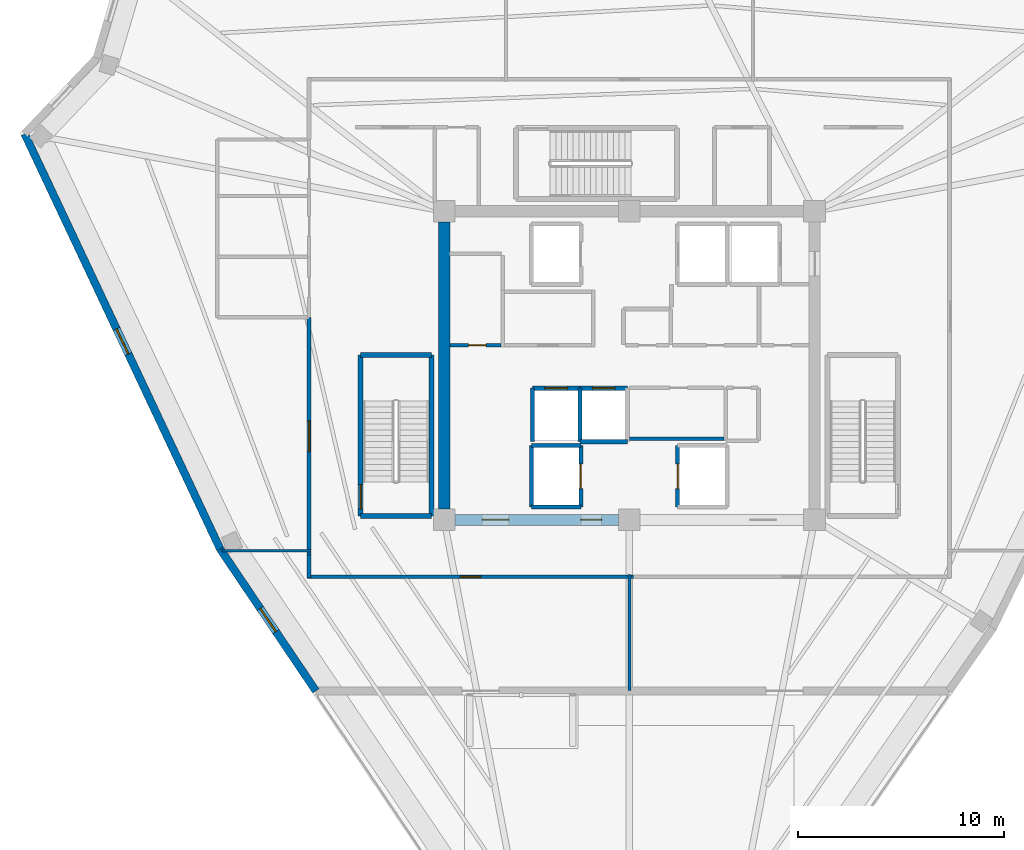
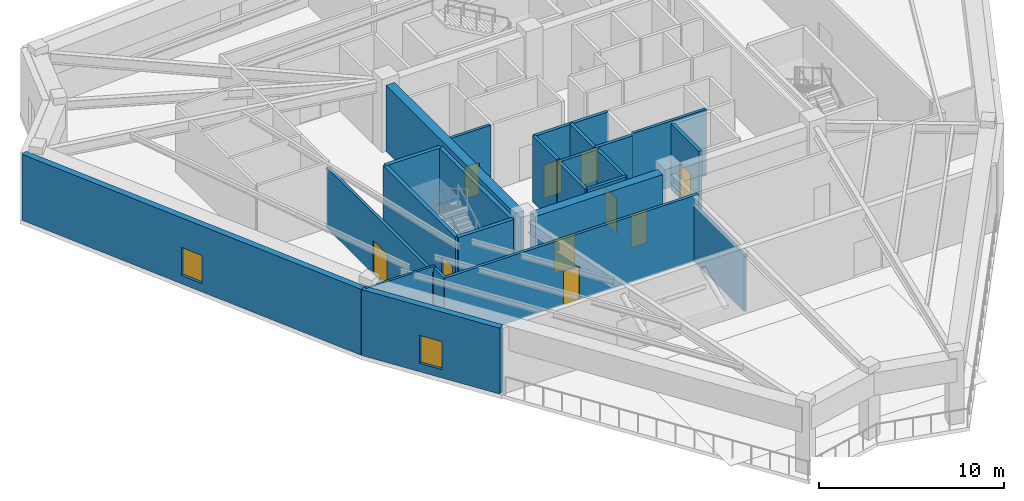
# One storey, part 4 of 12: 25 walls, 10 doors, 2 windows, 12 openings.
"""IFC4 building model written with IfcOpenShell, lengths in metres."""

from ifc_helpers import new_model, si_unit, direction, frame, frame_2d, origin, place, context, subcontext, project, spatial, rectangle, extrude, source, transform, mapped, material, layer, layer_set, type_object, element, fill, save


model = new_model("IFC4")

# Units and contexts
model_context = context("Model", 3, precision=1e-05, world=origin(), true_north=direction((0.0, 1.0)))
body_context = subcontext(model_context, "Body", "Model", "MODEL_VIEW")
ifc_project = project(units=[si_unit("LENGTHUNIT", "METRE"), si_unit("AREAUNIT", "SQUARE_METRE"), si_unit("VOLUMEUNIT", "CUBIC_METRE"), si_unit("PLANEANGLEUNIT", "RADIAN"), si_unit("MASSUNIT", "GRAM", prefix="KILO")], contexts=[model_context])

# Site, building, storey
site_placement = place(None, origin())
site = spatial("IfcSite", under=ifc_project, at=site_placement, CompositionType="ELEMENT")
building_placement = place(site_placement, origin())
building = spatial("IfcBuilding", under=site, at=building_placement, Name="Liaohun Quay Tower", CompositionType="ELEMENT")
storey_placement = place(building_placement, frame((0.0, 0.0, 355.800048828125)))
storey = spatial("IfcBuildingStorey", under=building, at=storey_placement, Name="L92", CompositionType="ELEMENT", Elevation=355.800048828125)

# Wall, openings, doors
ifc_material_1 = material(Name="Concrete C50", Category="concrete")
ifc_layer_1 = layer(ifc_material_1, 0.550048828125, Name="Concrete C50", Category="concrete")
ifc_layer_set_1 = layer_set([ifc_layer_1], Name="Concrete C50")
wall_type_1 = type_object("IfcWallType", Name="WAL-COR-Z4", PredefinedType="SHEAR", material=ifc_layer_set_1)
wall_1_placement = place(storey_placement, frame((59.47509765625, 46.5, 0.0), z_axis=(0.0, 0.0, 1.0), x_axis=(-1.0, 0.0, 0.0)))
wall_1 = element("IfcWall", 1, at=wall_1_placement, inside=storey, type_object=wall_type_1, Name="L92 Central Core Shear Wall S-W", PredefinedType="SHEAR", context=body_context, shape_type="SweptSolid", body=[
    extrude(rectangle(XDim=7.9501953125, YDim=0.550048828125, at=frame_2d((3.97509765625, 0.0))), origin(), (0.0, 0.0, 1.0), 4.349853515625),
])
shared_shape_1 = source(origin(), body_context, "Body", "SweptSolid", [
    extrude(rectangle(XDim=1.300048828125, YDim=2.199951171875, at=frame_2d((0.64990234375, 1.10009765625))), frame((0.0, 0.284912109375, 0.0), z_axis=(0.0, -1.0, 0.0), x_axis=(1.0, 0.0, 0.0)), (0.0, 0.0, 1.0), 0.570068359375),
])
opening_1_placement = place(wall_1_placement, frame((5.324951171875, 0.0, 0.0)))
opening_1 = element("IfcOpeningElement", 2, at=opening_1_placement, cuts=wall_1, Name="Opening FD1", PredefinedType="OPENING", context=body_context, shape_type="MappedRepresentation", body=[
    mapped(shared_shape_1, transform((0.0, 0.0, 0.0), x_axis=(1.0, 0.0, 0.0), y_axis=(0.0, 1.0, 0.0), z_axis=(0.0, 0.0, 1.0), scale=1.0)),
])
shared_shape_2 = source(origin(), body_context, "Body", "SweptSolid", [
    extrude(rectangle(XDim=1.0, YDim=2.199951171875, at=frame_2d((0.5, 1.10009765625))), frame((0.0, 0.284912109375, 0.0), z_axis=(0.0, -1.0, 0.0), x_axis=(1.0, 0.0, 0.0)), (0.0, 0.0, 1.0), 0.570068359375),
])
opening_2_placement = place(wall_1_placement, frame((0.824951171875, 0.0, 0.0)))
opening_2 = element("IfcOpeningElement", 3, at=opening_2_placement, cuts=wall_1, Name="Opening FD2", PredefinedType="OPENING", context=body_context, shape_type="MappedRepresentation", body=[
    mapped(shared_shape_2, transform((0.0, 0.0, 0.0), x_axis=(1.0, 0.0, 0.0), y_axis=(0.0, 1.0, 0.0), z_axis=(0.0, 0.0, 1.0), scale=1.0)),
])
ifc_material_2 = material(Name="Galvanised steel smokeproof fire door", Category="steel")
door_type_1 = type_object("IfcDoorType", Name="DOR-FFL-1300", OperationType="NOTDEFINED", PredefinedType="DOOR", material=ifc_material_2)
shared_shape_3 = source(origin(), body_context, "Body", "SweptSolid", [
    extrude(rectangle(XDim=1.300048828125, YDim=2.199951171875, at=frame_2d((0.64990234375, 1.10009765625))), frame((0.0, 0.02490234375, 0.0), z_axis=(0.0, -1.0, 0.0), x_axis=(1.0, 0.0, 0.0)), (0.0, 0.0, 1.0), 0.050048828125),
])
door_1_placement = place(opening_1_placement, origin())
door_1 = element("IfcDoor", 4, at=door_1_placement, inside=storey, type_object=door_type_1, Name="L92 West Core Lift Lobby Smokeproof Door", OperationType="SINGLE_SWING_RIGHT", OverallHeight=2.199951171875, OverallWidth=1.300048828125, PredefinedType="DOOR", context=body_context, shape_type="MappedRepresentation", body=[
    mapped(shared_shape_3, transform((0.0, 0.0, 0.0), x_axis=(1.0, 0.0, 0.0), y_axis=(0.0, 1.0, 0.0), z_axis=(0.0, 0.0, 1.0), scale=1.0)),
])
fill(opening_1, door_1)
ifc_material_3 = material(Name="Galvanised steel smokeproof lobby fire door", Category="steel")
door_type_2 = type_object("IfcDoorType", Name="DOR-FFL-1000", OperationType="NOTDEFINED", PredefinedType="DOOR", material=ifc_material_3)
shared_shape_4 = source(origin(), body_context, "Body", "SweptSolid", [
    extrude(rectangle(XDim=1.0, YDim=2.199951171875, at=frame_2d((0.5, 1.10009765625))), frame((0.0, 0.02490234375, 0.0), z_axis=(0.0, -1.0, 0.0), x_axis=(1.0, 0.0, 0.0)), (0.0, 0.0, 1.0), 0.050048828125),
])
door_2_placement = place(opening_2_placement, origin())
door_2 = element("IfcDoor", 5, at=door_2_placement, inside=storey, type_object=door_type_2, Name="L92 South Firefighting Lobby Smokeproof Door", OperationType="SINGLE_SWING_LEFT", OverallHeight=2.199951171875, OverallWidth=1.0, PredefinedType="DOOR", context=body_context, shape_type="MappedRepresentation", body=[
    mapped(shared_shape_4, transform((0.0, 0.0, 0.0), x_axis=(1.0, 0.0, 0.0), y_axis=(0.0, 1.0, 0.0), z_axis=(0.0, 0.0, 1.0), scale=1.0)),
])
fill(opening_2, door_2)

# Wall
wall_2_placement = place(storey_placement, frame((51.0, 47.02490234375, 0.0), z_axis=(0.0, 0.0, 1.0), x_axis=(0.0, 1.0, 0.0)))
element("IfcWall", 6, at=wall_2_placement, inside=storey, type_object=wall_type_1, Name="L92 Central Core Shear Wall W", PredefinedType="SHEAR", context=body_context, shape_type="SweptSolid", body=[
    extrude(rectangle(XDim=13.9501953125, YDim=0.550048828125, at=frame_2d((6.97509765625, 0.0))), origin(), (0.0, 0.0, 1.0), 4.349853515625),
])

# Wall, opening, window
ifc_material_4 = material(Name="Precast concrete C50 insulated sandwich", Category="concrete")
ifc_layer_2 = layer(ifc_material_4, 0.3798828125, Name="Precast concrete C50 insulated sandwich", Category="concrete")
ifc_layer_set_2 = layer_set([ifc_layer_2], Name="Precast concrete C50 insulated sandwich")
wall_type_2 = type_object("IfcWallType", Name="WAL-EXT-Z34", PredefinedType="SOLIDWALL", material=ifc_layer_set_2)
wall_3_placement = place(storey_placement, frame((30.62109375, 65.258056640625, 0.0), z_axis=(0.0, 0.0, 1.0), x_axis=(0.426031057179, -0.904708537773, 0.0)))
wall_3 = element("IfcWall", 7, at=wall_3_placement, inside=storey, type_object=wall_type_2, Name="L92 Sky Belvedere Exterior Wall 09", PredefinedType="SOLIDWALL", context=body_context, shape_type="SweptSolid", body=[
    extrude(rectangle(XDim=22.3056640625, YDim=0.3798828125, at=frame_2d((11.15283203125, 0.0))), origin(), (0.0, 0.0, 1.0), 4.349853515625),
])
shared_shape_5 = source(origin(), body_context, "Body", "SweptSolid", [
    extrude(rectangle(XDim=1.35009765625, YDim=1.85009765625, at=frame_2d((0.675048828125, 0.925048828125))), frame((0.0, 0.199951171875, 0.0), z_axis=(0.0, -1.0, 0.0), x_axis=(1.0, 0.0, 0.0)), (0.0, 0.0, 1.0), 0.39990234375),
])
opening_3_placement = place(wall_3_placement, frame((10.47802734375, 0.0, 0.550048828125)))
opening_3 = element("IfcOpeningElement", 8, at=opening_3_placement, cuts=wall_3, Name="Opening W04", PredefinedType="OPENING", context=body_context, shape_type="MappedRepresentation", body=[
    mapped(shared_shape_5, transform((0.0, 0.0, 0.0), x_axis=(1.0, 0.0, 0.0), y_axis=(0.0, 1.0, 0.0), z_axis=(0.0, 0.0, 1.0), scale=1.0)),
])
ifc_material_5 = material(Name="Triple Low-E argon glazing in thermally broken aluminium", Category="aluminium")
window_type = type_object("IfcWindowType", Name="WIN-PUN-Z4", PartitioningType="SINGLE_PANEL", PredefinedType="WINDOW", material=ifc_material_5)
shared_shape_6 = source(origin(), body_context, "Body", "SweptSolid", [
    extrude(rectangle(XDim=1.35009765625, YDim=1.85009765625, at=frame_2d((0.675048828125, 0.925048828125))), frame((0.0, 0.030029296875, 0.0), z_axis=(0.0, -1.0, 0.0), x_axis=(1.0, 0.0, 0.0)), (0.0, 0.0, 1.0), 0.06005859375),
])
window_1_placement = place(opening_3_placement, origin())
window_1 = element("IfcWindow", 9, at=window_1_placement, inside=storey, type_object=window_type, Name="L92 Observatory Window W04-09", OverallHeight=1.85009765625, OverallWidth=1.35009765625, PartitioningType="SINGLE_PANEL", PredefinedType="WINDOW", context=body_context, shape_type="MappedRepresentation", body=[
    mapped(shared_shape_6, transform((0.0, 0.0, 0.0), x_axis=(1.0, 0.0, 0.0), y_axis=(0.0, 1.0, 0.0), z_axis=(0.0, 0.0, 1.0), scale=1.0)),
])
fill(opening_3, window_1)

wall_4_placement = place(storey_placement, frame((40.1240234375, 45.077880859375, 0.0), z_axis=(0.0, 0.0, 1.0), x_axis=(0.559113952573, -0.829090820138, 0.0)))
wall_4 = element("IfcWall", 10, at=wall_4_placement, inside=storey, type_object=wall_type_2, Name="L92 Sky Belvedere Exterior Wall 10", PredefinedType="SOLIDWALL", context=body_context, shape_type="SweptSolid", body=[
    extrude(rectangle(XDim=8.307861328125, YDim=0.3798828125, at=frame_2d((4.15380859375, 0.0))), origin(), (0.0, 0.0, 1.0), 4.349853515625),
])
opening_4_placement = place(wall_4_placement, frame((3.47900390625, 0.0, 0.550048828125)))
opening_4 = element("IfcOpeningElement", 11, at=opening_4_placement, cuts=wall_4, Name="Opening W04", PredefinedType="OPENING", context=body_context, shape_type="MappedRepresentation", body=[
    mapped(shared_shape_5, transform((0.0, 0.0, 0.0), x_axis=(1.0, 0.0, 0.0), y_axis=(0.0, 1.0, 0.0), z_axis=(0.0, 0.0, 1.0), scale=1.0)),
])
window_2_placement = place(opening_4_placement, origin())
window_2 = element("IfcWindow", 12, at=window_2_placement, inside=storey, type_object=window_type, Name="L92 Observatory Window W04-10", OverallHeight=1.85009765625, OverallWidth=1.35009765625, PartitioningType="SINGLE_PANEL", PredefinedType="WINDOW", context=body_context, shape_type="MappedRepresentation", body=[
    mapped(shared_shape_6, transform((0.0, 0.0, 0.0), x_axis=(1.0, 0.0, 0.0), y_axis=(0.0, 1.0, 0.0), z_axis=(0.0, 0.0, 1.0), scale=1.0)),
])
fill(opening_4, window_2)

# Wall, opening, door
ifc_material_6 = material(Name="Autoclaved aerated concrete blockwork", Category="masonry")
ifc_layer_3 = layer(ifc_material_6, 0.179931640625, Name="Autoclaved aerated concrete blockwork", Category="masonry")
ifc_layer_set_3 = layer_set([ifc_layer_3], Name="Autoclaved aerated concrete blockwork")
wall_type_3 = type_object("IfcWallType", Name="WAL-PRT-COR", PredefinedType="PARTITIONING", material=ifc_layer_set_3)
wall_5_placement = place(storey_placement, frame((51.27490234375, 54.97998046875, 0.0), z_axis=(0.0, 0.0, 1.0), x_axis=(1.0, 0.0, 0.0)))
wall_5 = element("IfcWall", 13, at=wall_5_placement, inside=storey, type_object=wall_type_3, Name="L92 Interior Partition Wall 003", PredefinedType="PARTITIONING", context=body_context, shape_type="SweptSolid", body=[
    extrude(rectangle(XDim=2.485107421875, YDim=0.179931640625, at=frame_2d((1.24267578125, 0.0))), origin(), (0.0, 0.0, 1.0), 4.349853515625),
])
shared_shape_7 = source(origin(), body_context, "Body", "SweptSolid", [
    extrude(rectangle(XDim=0.85009765625, YDim=2.10009765625, at=frame_2d((0.425048828125, 1.050048828125))), frame((0.0, 0.099853515625, 0.0), z_axis=(0.0, -1.0, 0.0), x_axis=(1.0, 0.0, 0.0)), (0.0, 0.0, 1.0), 0.199951171875),
])
opening_5_placement = place(wall_5_placement, frame((0.9150390625, 0.0, 0.0)))
opening_5 = element("IfcOpeningElement", 14, at=opening_5_placement, cuts=wall_5, Name="Opening AD1", PredefinedType="OPENING", context=body_context, shape_type="MappedRepresentation", body=[
    mapped(shared_shape_7, transform((0.0, 0.0, 0.0), x_axis=(1.0, 0.0, 0.0), y_axis=(0.0, 1.0, 0.0), z_axis=(0.0, 0.0, 1.0), scale=1.0)),
])
ifc_material_7 = material(Name="Steel riser inspection fire door", Category="steel")
door_type_3 = type_object("IfcDoorType", Name="DOR-SHF-850", OperationType="NOTDEFINED", PredefinedType="DOOR", material=ifc_material_7)
shared_shape_8 = source(origin(), body_context, "Body", "SweptSolid", [
    extrude(rectangle(XDim=0.85009765625, YDim=2.10009765625, at=frame_2d((0.425048828125, 1.050048828125))), frame((0.0, 0.02490234375, 0.0), z_axis=(0.0, -1.0, 0.0), x_axis=(1.0, 0.0, 0.0)), (0.0, 0.0, 1.0), 0.050048828125),
])
door_3_placement = place(opening_5_placement, origin())
door_3 = element("IfcDoor", 15, at=door_3_placement, inside=storey, type_object=door_type_3, Name="L92 Core High-Zone Archive and Riser Store Door", OperationType="SINGLE_SWING_LEFT", OverallHeight=2.10009765625, OverallWidth=0.85009765625, PredefinedType="DOOR", context=body_context, shape_type="MappedRepresentation", body=[
    mapped(shared_shape_8, transform((0.0, 0.0, 0.0), x_axis=(1.0, 0.0, 0.0), y_axis=(0.0, 1.0, 0.0), z_axis=(0.0, 0.0, 1.0), scale=1.0)),
])
fill(opening_5, door_3)

wall_6_placement = place(storey_placement, frame((44.43994140625, 44.784912109375, 0.0), z_axis=(0.0, 0.0, 1.0), x_axis=(0.0, 1.0, 0.0)))
wall_6 = element("IfcWall", 16, at=wall_6_placement, inside=storey, type_object=wall_type_3, Name="L92 Interior Partition Wall 017", PredefinedType="PARTITIONING", context=body_context, shape_type="SweptSolid", body=[
    extrude(rectangle(XDim=11.55517578125, YDim=0.179931640625, at=frame_2d((5.777587890625, 0.0))), origin(), (0.0, 0.0, 1.0), 3.98486328125),
])
shared_shape_9 = source(origin(), body_context, "Body", "SweptSolid", [
    extrude(rectangle(XDim=1.5, YDim=2.199951171875, at=frame_2d((0.75, 1.10009765625))), frame((0.0, 0.099853515625, 0.0), z_axis=(0.0, -1.0, 0.0), x_axis=(1.0, 0.0, 0.0)), (0.0, 0.0, 1.0), 0.199951171875),
])
opening_6_placement = place(wall_6_placement, frame((5.028076171875, 0.0, 0.0)))
opening_6 = element("IfcOpeningElement", 17, at=opening_6_placement, cuts=wall_6, Name="Opening OD2", PredefinedType="OPENING", context=body_context, shape_type="MappedRepresentation", body=[
    mapped(shared_shape_9, transform((0.0, 0.0, 0.0), x_axis=(1.0, 0.0, 0.0), y_axis=(0.0, 1.0, 0.0), z_axis=(0.0, 0.0, 1.0), scale=1.0)),
])
ifc_material_8 = material(Name="Acoustic oak veneer double door")
door_type_4 = type_object("IfcDoorType", Name="DOR-OFF-1500", OperationType="DOUBLE_DOOR_SINGLE_SWING", PredefinedType="DOOR", material=ifc_material_8)
shared_shape_10 = source(origin(), body_context, "Body", "SweptSolid", [
    extrude(rectangle(XDim=1.5, YDim=2.199951171875, at=frame_2d((0.75, 1.10009765625))), frame((0.0, 0.02490234375, 0.0), z_axis=(0.0, -1.0, 0.0), x_axis=(1.0, 0.0, 0.0)), (0.0, 0.0, 1.0), 0.050048828125),
])
door_4_placement = place(opening_6_placement, origin())
door_4 = element("IfcDoor", 18, at=door_4_placement, inside=storey, type_object=door_type_4, Name="L92 Visitor Orientation Studio 03 Door", OperationType="DOUBLE_DOOR_SINGLE_SWING", OverallHeight=2.199951171875, OverallWidth=1.5, PredefinedType="DOOR", context=body_context, shape_type="MappedRepresentation", body=[
    mapped(shared_shape_10, transform((0.0, 0.0, 0.0), x_axis=(1.0, 0.0, 0.0), y_axis=(0.0, 1.0, 0.0), z_axis=(0.0, 0.0, 1.0), scale=1.0)),
])
fill(opening_6, door_4)

wall_7_placement = place(storey_placement, frame((60.215087890625, 43.739990234375, 0.0), z_axis=(0.0, 0.0, 1.0), x_axis=(-1.0, 0.0, 0.0)))
wall_7 = element("IfcWall", 19, at=wall_7_placement, inside=storey, type_object=wall_type_3, Name="L92 Interior Partition Wall 018", PredefinedType="PARTITIONING", context=body_context, shape_type="SweptSolid", body=[
    extrude(rectangle(XDim=15.844970703125, YDim=0.179931640625, at=frame_2d((7.92236328125, 0.0))), origin(), (0.0, 0.0, 1.0), 4.349853515625),
])
shared_shape_11 = source(origin(), body_context, "Body", "SweptSolid", [
    extrude(rectangle(XDim=1.0, YDim=2.199951171875, at=frame_2d((0.5, 1.10009765625))), frame((0.0, 0.099853515625, 0.0), z_axis=(0.0, -1.0, 0.0), x_axis=(1.0, 0.0, 0.0)), (0.0, 0.0, 1.0), 0.199951171875),
])
opening_7_placement = place(wall_7_placement, frame((7.423095703125, 0.0, 0.0)))
opening_7 = element("IfcOpeningElement", 20, at=opening_7_placement, cuts=wall_7, Name="Opening OD1", PredefinedType="OPENING", context=body_context, shape_type="MappedRepresentation", body=[
    mapped(shared_shape_11, transform((0.0, 0.0, 0.0), x_axis=(1.0, 0.0, 0.0), y_axis=(0.0, 1.0, 0.0), z_axis=(0.0, 0.0, 1.0), scale=1.0)),
])
ifc_material_9 = material(Name="Solid-core oak veneer timber leaf in steel frame", Category="steel")
door_type_5 = type_object("IfcDoorType", Name="DOR-OFF-1000", OperationType="NOTDEFINED", PredefinedType="DOOR", material=ifc_material_9)
door_5_placement = place(opening_7_placement, origin())
door_5 = element("IfcDoor", 21, at=door_5_placement, inside=storey, type_object=door_type_5, Name="L92 Sky Belvedere Tea Lounge 04 Door", OperationType="SINGLE_SWING_RIGHT", OverallHeight=2.199951171875, OverallWidth=1.0, PredefinedType="DOOR", context=body_context, shape_type="MappedRepresentation", body=[
    mapped(shared_shape_4, transform((0.0, 0.0, 0.0), x_axis=(1.0, 0.0, 0.0), y_axis=(0.0, 1.0, 0.0), z_axis=(0.0, 0.0, 1.0), scale=1.0)),
])
fill(opening_7, door_5)

# Walls
wall_8_placement = place(storey_placement, frame((44.43994140625, 43.669921875, 0.0), z_axis=(0.0, 0.0, 1.0), x_axis=(0.0, 1.0, 0.0)))
element("IfcWall", 22, at=wall_8_placement, inside=storey, type_object=wall_type_3, Name="L92 Interior Partition Wall 040", PredefinedType="PARTITIONING", context=body_context, shape_type="SweptSolid", body=[
    extrude(rectangle(XDim=1.114990234375, YDim=0.179931640625, at=frame_2d((0.5576171875, 0.0))), origin(), (0.0, 0.0, 1.0), 4.349853515625),
])
wall_9_placement = place(storey_placement, frame((60.0, 50.449951171875, 0.0), z_axis=(0.0, 0.0, 1.0), x_axis=(1.0, 0.0, 0.0)))
element("IfcWall", 23, at=wall_9_placement, inside=storey, type_object=wall_type_3, Name="L92 Interior Partition Wall 047", PredefinedType="PARTITIONING", context=body_context, shape_type="SweptSolid", body=[
    extrude(rectangle(XDim=4.60009765625, YDim=0.179931640625, at=frame_2d((2.300048828125, 0.0))), origin(), (0.0, 0.0, 1.0), 4.349853515625),
])
ifc_material_10 = material(Name="Gypsum board on twin steel studs", Category="steel")
ifc_layer_4 = layer(ifc_material_10, 0.139892578125, Name="Gypsum board on twin steel studs", Category="steel")
ifc_layer_set_4 = layer_set([ifc_layer_4], Name="Gypsum board on twin steel studs")
wall_type_4 = type_object("IfcWallType", Name="WAL-PRT-OFF", PredefinedType="PARTITIONING", material=ifc_layer_set_4)
wall_10_placement = place(storey_placement, frame((44.5400390625, 45.0, 0.0), z_axis=(0.0, 0.0, 1.0), x_axis=(-1.0, 0.0, 0.0)))
element("IfcWall", 24, at=wall_10_placement, inside=storey, type_object=wall_type_4, Name="L92 Interior Partition Wall 042", PredefinedType="PARTITIONING", context=body_context, shape_type="SweptSolid", body=[
    extrude(rectangle(XDim=4.3271484375, YDim=0.139892578125, at=frame_2d((2.16357421875, 0.0))), origin(), (0.0, 0.0, 1.0), 4.349853515625),
])
wall_11_placement = place(storey_placement, frame((60.0, 43.840087890625, 0.0), z_axis=(0.0, 0.0, 1.0), x_axis=(0.0, -1.0, 0.0)))
element("IfcWall", 25, at=wall_11_placement, inside=storey, type_object=wall_type_4, Name="L92 Interior Partition Wall 044", PredefinedType="PARTITIONING", context=body_context, shape_type="SweptSolid", body=[
    extrude(rectangle(XDim=5.6201171875, YDim=0.139892578125, at=frame_2d((2.81005859375, 0.0))), origin(), (0.0, 0.0, 1.0), 3.7470703125),
])
ifc_layer_5 = layer(ifc_material_1, 0.239990234375, Name="Concrete C50", Category="concrete")
ifc_layer_set_5 = layer_set([ifc_layer_5], Name="Concrete C50")
wall_type_5 = type_object("IfcWallType", Name="WAL-SHF-200", PredefinedType="SOLIDWALL", material=ifc_layer_set_5)
wall_12_placement = place(storey_placement, frame((46.93994140625, 46.699951171875, 0.0), z_axis=(0.0, 0.0, 1.0), x_axis=(1.0, 0.0, 0.0)))
element("IfcWall", 26, at=wall_12_placement, inside=storey, type_object=wall_type_5, Name="L92 Stairwell ST-1 Structural Core Wall S", PredefinedType="SOLIDWALL", context=body_context, shape_type="SweptSolid", body=[
    extrude(rectangle(XDim=3.43994140625, YDim=0.239990234375, at=frame_2d((1.719970703125, 0.0))), origin(), (0.0, 0.0, 1.0), 4.349853515625),
])
wall_13_placement = place(storey_placement, frame((50.3798828125, 46.699951171875, 0.0), z_axis=(0.0, 0.0, 1.0), x_axis=(0.0, 1.0, 0.0)))
element("IfcWall", 27, at=wall_13_placement, inside=storey, type_object=wall_type_5, Name="L92 Stairwell ST-1 Structural Core Wall E", PredefinedType="SOLIDWALL", context=body_context, shape_type="SweptSolid", body=[
    extrude(rectangle(XDim=7.820068359375, YDim=0.239990234375, at=frame_2d((3.91015625, 0.0))), origin(), (0.0, 0.0, 1.0), 4.349853515625),
])
wall_14_placement = place(storey_placement, frame((50.3798828125, 54.52001953125, 0.0), z_axis=(0.0, 0.0, 1.0), x_axis=(-1.0, 0.0, 0.0)))
element("IfcWall", 28, at=wall_14_placement, inside=storey, type_object=wall_type_5, Name="L92 Stairwell ST-1 Structural Core Wall N", PredefinedType="SOLIDWALL", context=body_context, shape_type="SweptSolid", body=[
    extrude(rectangle(XDim=3.43994140625, YDim=0.239990234375, at=frame_2d((1.719970703125, 0.0))), origin(), (0.0, 0.0, 1.0), 4.349853515625),
])

# Wall, opening, door
wall_15_placement = place(storey_placement, frame((46.93994140625, 54.52001953125, 0.0), z_axis=(0.0, 0.0, 1.0), x_axis=(0.0, -1.0, 0.0)))
wall_15 = element("IfcWall", 29, at=wall_15_placement, inside=storey, type_object=wall_type_5, Name="L92 Stairwell ST-1 Structural Core Wall W", PredefinedType="SOLIDWALL", context=body_context, shape_type="SweptSolid", body=[
    extrude(rectangle(XDim=7.820068359375, YDim=0.239990234375, at=frame_2d((3.91015625, 0.0))), origin(), (0.0, 0.0, 1.0), 4.349853515625),
])
shared_shape_12 = source(origin(), body_context, "Body", "SweptSolid", [
    extrude(rectangle(XDim=1.199951171875, YDim=2.199951171875, at=frame_2d((0.60009765625, 1.10009765625))), frame((0.0, 0.1298828125, 0.0), z_axis=(0.0, -1.0, 0.0), x_axis=(1.0, 0.0, 0.0)), (0.0, 0.0, 1.0), 0.260009765625),
])
opening_8_placement = place(wall_15_placement, frame((6.300048828125, 0.0, 0.0)))
opening_8 = element("IfcOpeningElement", 30, at=opening_8_placement, cuts=wall_15, Name="Opening SD1", PredefinedType="OPENING", context=body_context, shape_type="MappedRepresentation", body=[
    mapped(shared_shape_12, transform((0.0, 0.0, 0.0), x_axis=(1.0, 0.0, 0.0), y_axis=(0.0, 1.0, 0.0), z_axis=(0.0, 0.0, 1.0), scale=1.0)),
])
ifc_material_11 = material(Name="Galvanised steel fire door", Category="steel")
door_type_6 = type_object("IfcDoorType", Name="DOR-STR-1200", OperationType="NOTDEFINED", PredefinedType="DOOR", material=ifc_material_11)
shared_shape_13 = source(origin(), body_context, "Body", "SweptSolid", [
    extrude(rectangle(XDim=1.199951171875, YDim=2.199951171875, at=frame_2d((0.60009765625, 1.10009765625))), frame((0.0, 0.02490234375, 0.0), z_axis=(0.0, -1.0, 0.0), x_axis=(1.0, 0.0, 0.0)), (0.0, 0.0, 1.0), 0.050048828125),
])
door_6_placement = place(opening_8_placement, origin())
door_6 = element("IfcDoor", 31, at=door_6_placement, inside=storey, type_object=door_type_6, Name="L92 Protected Stair ST-1 Fire Door", OperationType="SINGLE_SWING_LEFT", OverallHeight=2.199951171875, OverallWidth=1.199951171875, PredefinedType="DOOR", context=body_context, shape_type="MappedRepresentation", body=[
    mapped(shared_shape_13, transform((0.0, 0.0, 0.0), x_axis=(1.0, 0.0, 0.0), y_axis=(0.0, 1.0, 0.0), z_axis=(0.0, 0.0, 1.0), scale=1.0)),
])
fill(opening_8, door_6)

# Wall
wall_16_placement = place(storey_placement, frame((55.25, 47.1201171875, 0.0), z_axis=(0.0, 0.0, 1.0), x_axis=(1.0, 0.0, 0.0)))
element("IfcWall", 32, at=wall_16_placement, inside=storey, type_object=wall_type_5, Name="L92 Lift FF-01 Hoistway Wall S", PredefinedType="SOLIDWALL", context=body_context, shape_type="SweptSolid", body=[
    extrude(rectangle(XDim=2.39990234375, YDim=0.199951171875, at=frame_2d((1.199951171875, 0.0))), origin(), (0.0, 0.0, 1.0), 4.349853515625),
])

# Wall, opening, door
wall_17_placement = place(storey_placement, frame((57.64990234375, 47.1201171875, 0.0), z_axis=(0.0, 0.0, 1.0), x_axis=(0.0, 1.0, 0.0)))
wall_17 = element("IfcWall", 33, at=wall_17_placement, inside=storey, type_object=wall_type_5, Name="L92 Lift FF-01 Hoistway Wall E", PredefinedType="SOLIDWALL", context=body_context, shape_type="SweptSolid", body=[
    extrude(rectangle(XDim=3.0, YDim=0.199951171875, at=frame_2d((1.5, 0.0))), origin(), (0.0, 0.0, 1.0), 4.349853515625),
])
shared_shape_14 = source(origin(), body_context, "Body", "SweptSolid", [
    extrude(rectangle(XDim=1.199951171875, YDim=2.300048828125, at=frame_2d((0.60009765625, 1.14990234375))), frame((0.0, 0.10986328125, 0.0), z_axis=(0.0, -1.0, 0.0), x_axis=(1.0, 0.0, 0.0)), (0.0, 0.0, 1.0), 0.219970703125),
])
opening_9_placement = place(wall_17_placement, frame((0.89990234375, 0.0, 0.0)))
opening_9 = element("IfcOpeningElement", 34, at=opening_9_placement, cuts=wall_17, Name="Opening LD2", PredefinedType="OPENING", context=body_context, shape_type="MappedRepresentation", body=[
    mapped(shared_shape_14, transform((0.0, 0.0, 0.0), x_axis=(1.0, 0.0, 0.0), y_axis=(0.0, 1.0, 0.0), z_axis=(0.0, 0.0, 1.0), scale=1.0)),
])
ifc_material_12 = material(Name="Brushed stainless steel stretcher landing door", Category="steel")
door_type_7 = type_object("IfcDoorType", Name="DOR-LFT-1200", OperationType="SLIDING_TO_LEFT", PredefinedType="DOOR", material=ifc_material_12)
shared_shape_15 = source(origin(), body_context, "Body", "SweptSolid", [
    extrude(rectangle(XDim=1.199951171875, YDim=2.300048828125, at=frame_2d((0.60009765625, 1.14990234375))), frame((0.0, 0.02490234375, 0.0), z_axis=(0.0, -1.0, 0.0), x_axis=(1.0, 0.0, 0.0)), (0.0, 0.0, 1.0), 0.050048828125),
])
door_7_placement = place(opening_9_placement, origin())
door_7 = element("IfcDoor", 35, at=door_7_placement, inside=storey, type_object=door_type_7, Name="L92 Lift FF-01 Sliding Landing Door", OperationType="SLIDING_TO_LEFT", OverallHeight=2.300048828125, OverallWidth=1.199951171875, PredefinedType="DOOR", context=body_context, shape_type="MappedRepresentation", body=[
    mapped(shared_shape_15, transform((0.0, 0.0, 0.0), x_axis=(1.0, 0.0, 0.0), y_axis=(0.0, 1.0, 0.0), z_axis=(0.0, 0.0, 1.0), scale=1.0)),
])
fill(opening_9, door_7)

# Walls
wall_18_placement = place(storey_placement, frame((57.64990234375, 50.1201171875, 0.0), z_axis=(0.0, 0.0, 1.0), x_axis=(-1.0, 0.0, 0.0)))
element("IfcWall", 36, at=wall_18_placement, inside=storey, type_object=wall_type_5, Name="L92 Lift FF-01 Hoistway Wall N", PredefinedType="SOLIDWALL", context=body_context, shape_type="SweptSolid", body=[
    extrude(rectangle(XDim=2.39990234375, YDim=0.199951171875, at=frame_2d((1.199951171875, 0.0))), origin(), (0.0, 0.0, 1.0), 4.349853515625),
])
wall_19_placement = place(storey_placement, frame((55.25, 50.1201171875, 0.0), z_axis=(0.0, 0.0, 1.0), x_axis=(0.0, -1.0, 0.0)))
element("IfcWall", 37, at=wall_19_placement, inside=storey, type_object=wall_type_5, Name="L92 Lift FF-01 Hoistway Wall W", PredefinedType="SOLIDWALL", context=body_context, shape_type="SweptSolid", body=[
    extrude(rectangle(XDim=3.0, YDim=0.199951171875, at=frame_2d((1.5, 0.0))), origin(), (0.0, 0.0, 1.0), 4.349853515625),
])

# Wall, opening, door
wall_20_placement = place(storey_placement, frame((62.35009765625, 50.1201171875, 0.0), z_axis=(0.0, 0.0, 1.0), x_axis=(0.0, -1.0, 0.0)))
wall_20 = element("IfcWall", 38, at=wall_20_placement, inside=storey, type_object=wall_type_5, Name="L92 Lift FF-02 Hoistway Wall W", PredefinedType="SOLIDWALL", context=body_context, shape_type="SweptSolid", body=[
    extrude(rectangle(XDim=3.0, YDim=0.199951171875, at=frame_2d((1.5, 0.0))), origin(), (0.0, 0.0, 1.0), 4.349853515625),
])
opening_10_placement = place(wall_20_placement, frame((0.89990234375, 0.0, 0.0)))
opening_10 = element("IfcOpeningElement", 39, at=opening_10_placement, cuts=wall_20, Name="Opening LD2", PredefinedType="OPENING", context=body_context, shape_type="MappedRepresentation", body=[
    mapped(shared_shape_14, transform((0.0, 0.0, 0.0), x_axis=(1.0, 0.0, 0.0), y_axis=(0.0, 1.0, 0.0), z_axis=(0.0, 0.0, 1.0), scale=1.0)),
])
door_8_placement = place(opening_10_placement, origin())
door_8 = element("IfcDoor", 40, at=door_8_placement, inside=storey, type_object=door_type_7, Name="L92 Lift FF-02 Sliding Landing Door", OperationType="SLIDING_TO_LEFT", OverallHeight=2.300048828125, OverallWidth=1.199951171875, PredefinedType="DOOR", context=body_context, shape_type="MappedRepresentation", body=[
    mapped(shared_shape_15, transform((0.0, 0.0, 0.0), x_axis=(1.0, 0.0, 0.0), y_axis=(0.0, 1.0, 0.0), z_axis=(0.0, 0.0, 1.0), scale=1.0)),
])
fill(opening_10, door_8)

# Wall
wall_21_placement = place(storey_placement, frame((57.60009765625, 50.300048828125, 0.0), z_axis=(0.0, 0.0, 1.0), x_axis=(0.0, 1.0, 0.0)))
element("IfcWall", 41, at=wall_21_placement, inside=storey, type_object=wall_type_5, Name="L92 Lift PL-4A Hoistway Wall E", PredefinedType="SOLIDWALL", context=body_context, shape_type="SweptSolid", body=[
    extrude(rectangle(XDim=2.599853515625, YDim=0.199951171875, at=frame_2d((1.2998046875, 0.0))), origin(), (0.0, 0.0, 1.0), 4.349853515625),
])

# Wall, opening, door
wall_22_placement = place(storey_placement, frame((57.60009765625, 52.89990234375, 0.0), z_axis=(0.0, 0.0, 1.0), x_axis=(-1.0, 0.0, 0.0)))
wall_22 = element("IfcWall", 42, at=wall_22_placement, inside=storey, type_object=wall_type_5, Name="L92 Lift PL-4A Hoistway Wall N", PredefinedType="SOLIDWALL", context=body_context, shape_type="SweptSolid", body=[
    extrude(rectangle(XDim=2.300048828125, YDim=0.199951171875, at=frame_2d((1.14990234375, 0.0))), origin(), (0.0, 0.0, 1.0), 4.349853515625),
])
shared_shape_16 = source(origin(), body_context, "Body", "SweptSolid", [
    extrude(rectangle(XDim=1.10009765625, YDim=2.199951171875, at=frame_2d((0.550048828125, 1.10009765625))), frame((0.0, 0.10986328125, 0.0), z_axis=(0.0, -1.0, 0.0), x_axis=(1.0, 0.0, 0.0)), (0.0, 0.0, 1.0), 0.219970703125),
])
opening_11_placement = place(wall_22_placement, frame((0.60009765625, 0.0, 0.0)))
opening_11 = element("IfcOpeningElement", 43, at=opening_11_placement, cuts=wall_22, Name="Opening LD1", PredefinedType="OPENING", context=body_context, shape_type="MappedRepresentation", body=[
    mapped(shared_shape_16, transform((0.0, 0.0, 0.0), x_axis=(1.0, 0.0, 0.0), y_axis=(0.0, 1.0, 0.0), z_axis=(0.0, 0.0, 1.0), scale=1.0)),
])
ifc_material_13 = material(Name="Brushed stainless steel landing door", Category="steel")
door_type_8 = type_object("IfcDoorType", Name="DOR-LFT-1100", OperationType="SLIDING_TO_LEFT", PredefinedType="DOOR", material=ifc_material_13)
shared_shape_17 = source(origin(), body_context, "Body", "SweptSolid", [
    extrude(rectangle(XDim=1.10009765625, YDim=2.199951171875, at=frame_2d((0.550048828125, 1.10009765625))), frame((0.0, 0.02490234375, 0.0), z_axis=(0.0, -1.0, 0.0), x_axis=(1.0, 0.0, 0.0)), (0.0, 0.0, 1.0), 0.050048828125),
])
door_9_placement = place(opening_11_placement, origin())
door_9 = element("IfcDoor", 44, at=door_9_placement, inside=storey, type_object=door_type_8, Name="L92 Lift PL-4A Sliding Landing Door", OperationType="SLIDING_TO_LEFT", OverallHeight=2.199951171875, OverallWidth=1.10009765625, PredefinedType="DOOR", context=body_context, shape_type="MappedRepresentation", body=[
    mapped(shared_shape_17, transform((0.0, 0.0, 0.0), x_axis=(1.0, 0.0, 0.0), y_axis=(0.0, 1.0, 0.0), z_axis=(0.0, 0.0, 1.0), scale=1.0)),
])
fill(opening_11, door_9)

# Walls
wall_23_placement = place(storey_placement, frame((55.300048828125, 52.89990234375, 0.0), z_axis=(0.0, 0.0, 1.0), x_axis=(0.0, -1.0, 0.0)))
element("IfcWall", 45, at=wall_23_placement, inside=storey, type_object=wall_type_5, Name="L92 Lift PL-4A Hoistway Wall W", PredefinedType="SOLIDWALL", context=body_context, shape_type="SweptSolid", body=[
    extrude(rectangle(XDim=2.599853515625, YDim=0.199951171875, at=frame_2d((1.2998046875, 0.0))), origin(), (0.0, 0.0, 1.0), 4.349853515625),
])
wall_24_placement = place(storey_placement, frame((57.60009765625, 50.300048828125, 0.0), z_axis=(0.0, 0.0, 1.0), x_axis=(1.0, 0.0, 0.0)))
element("IfcWall", 46, at=wall_24_placement, inside=storey, type_object=wall_type_5, Name="L92 Lift PL-4B Hoistway Wall S", PredefinedType="SOLIDWALL", context=body_context, shape_type="SweptSolid", body=[
    extrude(rectangle(XDim=2.2998046875, YDim=0.199951171875, at=frame_2d((1.14990234375, 0.0))), origin(), (0.0, 0.0, 1.0), 4.349853515625),
])

# Wall, opening, door
wall_25_placement = place(storey_placement, frame((59.89990234375, 52.89990234375, 0.0), z_axis=(0.0, 0.0, 1.0), x_axis=(-1.0, 0.0, 0.0)))
wall_25 = element("IfcWall", 47, at=wall_25_placement, inside=storey, type_object=wall_type_5, Name="L92 Lift PL-4B Hoistway Wall N", PredefinedType="SOLIDWALL", context=body_context, shape_type="SweptSolid", body=[
    extrude(rectangle(XDim=2.2998046875, YDim=0.199951171875, at=frame_2d((1.14990234375, 0.0))), origin(), (0.0, 0.0, 1.0), 4.349853515625),
])
opening_12_placement = place(wall_25_placement, frame((0.60009765625, 0.0, 0.0)))
opening_12 = element("IfcOpeningElement", 48, at=opening_12_placement, cuts=wall_25, Name="Opening LD1", PredefinedType="OPENING", context=body_context, shape_type="MappedRepresentation", body=[
    mapped(shared_shape_16, transform((0.0, 0.0, 0.0), x_axis=(1.0, 0.0, 0.0), y_axis=(0.0, 1.0, 0.0), z_axis=(0.0, 0.0, 1.0), scale=1.0)),
])
door_10_placement = place(opening_12_placement, origin())
door_10 = element("IfcDoor", 49, at=door_10_placement, inside=storey, type_object=door_type_8, Name="L92 Lift PL-4B Sliding Landing Door", OperationType="SLIDING_TO_LEFT", OverallHeight=2.199951171875, OverallWidth=1.10009765625, PredefinedType="DOOR", context=body_context, shape_type="MappedRepresentation", body=[
    mapped(shared_shape_17, transform((0.0, 0.0, 0.0), x_axis=(1.0, 0.0, 0.0), y_axis=(0.0, 1.0, 0.0), z_axis=(0.0, 0.0, 1.0), scale=1.0)),
])
fill(opening_12, door_10)

save(model, "model.ifc")
